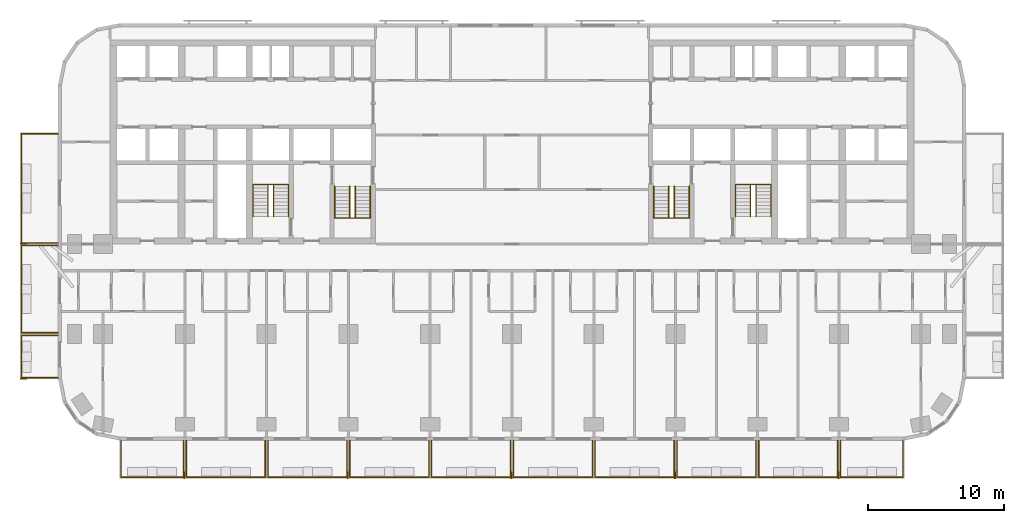
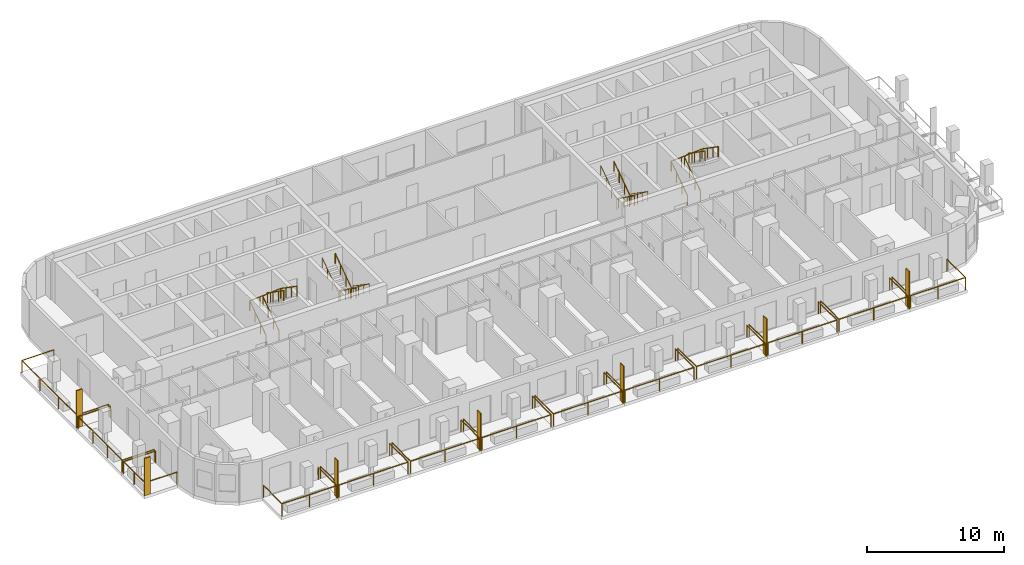
# One storey, part 13 of 15: 21 railings, 7 shading devices.
"""IFC4 building model written with IfcOpenShell, lengths in metres."""

from ifc_helpers import new_model, si_unit, direction, frame, origin, origin_2d, place, context, subcontext, project, spatial, rectangle, circle, extrude, material, layer, layer_set, type_object, element, save


model = new_model("IFC4")

# Units and contexts
model_context = context("Model", 3, precision=1e-05, world=origin(), true_north=direction((0.0, 1.0)))
body_context = subcontext(model_context, "Body", "Model", "MODEL_VIEW")
ifc_project = project(units=[si_unit("LENGTHUNIT", "METRE"), si_unit("AREAUNIT", "SQUARE_METRE"), si_unit("VOLUMEUNIT", "CUBIC_METRE"), si_unit("PLANEANGLEUNIT", "RADIAN"), si_unit("MASSUNIT", "GRAM", prefix="KILO")], contexts=[model_context])

# Site, building, storey
site_placement = place(None, origin())
site = spatial("IfcSite", under=ifc_project, at=site_placement, CompositionType="ELEMENT")
building_placement = place(site_placement, origin())
building = spatial("IfcBuilding", under=site, at=building_placement, Name="Torana Hotel and Residences", CompositionType="ELEMENT")
storey_placement = place(building_placement, frame((0.0, 0.0, 24.0)))
storey = spatial("IfcBuildingStorey", under=building, at=storey_placement, Name="L04", CompositionType="ELEMENT", Elevation=24.0)

# Shading devices
ifc_material_1 = material(Name="Black powder coated aluminium", Category="aluminium")
ifc_layer = layer(ifc_material_1, 0.080078125)
ifc_layer_set = layer_set([ifc_layer], Name="FN1 VERTICAL FIN 500x80")
shading_device_type = type_object("IfcShadingDeviceType", Name="FN1 VERTICAL FIN 500x80", PredefinedType="USERDEFINED", material=ifc_layer_set)
for number, where, z_axis, x_axis, name in (
    (1, (-24.0400390625, -31.949951171875, 0.0), (0.0, 0.0, 1.0), (-1.0, 0.0, 0.0), "Fin 01"),
    (2, (-12.0400390625, -31.949951171875, 0.0), (0.0, 0.0, 1.0), (-1.0, 0.0, 0.0), "Fin 03"),
    (3, (-0.0400390625, -31.949951171875, 0.0), (0.0, 0.0, 1.0), (-1.0, 0.0, 0.0), "Fin 05"),
    (4, (11.9599609375, -31.949951171875, 0.0), (0.0, 0.0, 1.0), (-1.0, 0.0, 0.0), "Fin 07"),
    (5, (23.9599609375, -31.949951171875, 0.0), (0.0, 0.0, 1.0), (-1.0, 0.0, 0.0), "Fin 09"),
    (6, (-35.85009765625, -24.860107421875, 0.0), (0.0, 0.0, 1.0), (0.0, 1.0, 0.0), "Fin 11"),
    (7, (-35.85009765625, -14.9599609375, 0.0), (0.0, 0.0, 1.0), (0.0, 1.0, 0.0), "Fin 13"),
):
    element("IfcShadingDevice", number, at=place(storey_placement, frame(where, z_axis=z_axis, x_axis=x_axis)), inside=storey, type_object=shading_device_type, Name=name, ObjectType="FIN", PredefinedType="USERDEFINED", context=body_context, shape_type="SweptSolid", body=[
        extrude(rectangle(XDim=0.080078125, YDim=0.5, at=origin_2d()), origin(), (0.0, 0.0, 1.0), 3.320068359375),
    ])

# Railings
ifc_material_2 = material(Name="Laminated glass balustrade with black handrail", Category="glass")
railing_type_1 = type_object("IfcRailingType", Name="GR1 BALCONY GUARD 1100 GLASS", PredefinedType="GUARDRAIL", material=ifc_material_2)
railing_1_placement = place(storey_placement, frame((-24.10009765625, -29.39990234375, 0.0)))
element("IfcRailing", 8, at=railing_1_placement, inside=storey, type_object=railing_type_1, Name="Balcony guard 01", PredefinedType="GUARDRAIL", context=body_context, shape_type="SweptSolid", body=[
    extrude(circle(Radius=0.02392578125, at=origin_2d()), frame((0.0, 0.0, 1.076171875), z_axis=(0.0, -1.0, 0.0), x_axis=(1.0, 0.0, 0.0)), (0.0, 0.0, 1.0), 2.7001953125),
    extrude(circle(Radius=0.02392578125, at=origin_2d()), frame((0.0, -2.7001953125, 1.076171875), z_axis=(-1.0, 0.0, 0.0), x_axis=(0.0, -1.0, 0.0)), (0.0, 0.0, 1.0), 4.599853515625),
    extrude(circle(Radius=0.02392578125, at=origin_2d()), frame((-4.599853515625, -2.7001953125, 1.076171875), z_axis=(0.0, 1.0, 0.0), x_axis=(-1.0, 0.0, 0.0)), (0.0, 0.0, 1.0), 2.7001953125),
    extrude(circle(Radius=0.02099609375, at=origin_2d()), origin(), (0.0, 0.0, 1.0), 1.052001953125),
    extrude(circle(Radius=0.02099609375, at=origin_2d()), frame((0.0, -2.7001953125, 0.0)), (0.0, 0.0, 1.0), 1.052001953125),
    extrude(circle(Radius=0.02099609375, at=origin_2d()), frame((-2.2998046875, -2.7001953125, 0.0)), (0.0, 0.0, 1.0), 1.052001953125),
    extrude(circle(Radius=0.02099609375, at=origin_2d()), frame((-4.599853515625, -2.7001953125, 0.0)), (0.0, 0.0, 1.0), 1.052001953125),
    extrude(circle(Radius=0.02099609375, at=origin_2d()), frame((-4.599853515625, 0.0, 0.0)), (0.0, 0.0, 1.0), 1.052001953125),
])
for number, where, name in (
    (9, (-18.10009765625, -29.39990234375, 0.0), "Balcony guard 02"),
    (10, (-12.10009765625, -29.39990234375, 0.0), "Balcony guard 03"),
    (11, (-6.10009765625, -29.39990234375, 0.0), "Balcony guard 04"),
    (12, (-0.10009765625, -29.39990234375, 0.0), "Balcony guard 05"),
    (13, (5.89990234375, -29.39990234375, 0.0), "Balcony guard 06"),
    (14, (11.89990234375, -29.39990234375, 0.0), "Balcony guard 07"),
    (15, (17.89990234375, -29.39990234375, 0.0), "Balcony guard 08"),
    (16, (23.89990234375, -29.39990234375, 0.0), "Balcony guard 09"),
):
    element("IfcRailing", number, at=place(storey_placement, frame(where)), inside=storey, type_object=railing_type_1, Name=name, PredefinedType="GUARDRAIL", context=body_context, shape_type="SweptSolid", body=[
        extrude(circle(Radius=0.02392578125, at=origin_2d()), frame((0.0, 0.0, 1.076171875), z_axis=(0.0, -1.0, 0.0), x_axis=(1.0, 0.0, 0.0)), (0.0, 0.0, 1.0), 2.7001953125),
        extrude(circle(Radius=0.02392578125, at=origin_2d()), frame((0.0, -2.7001953125, 1.076171875), z_axis=(-1.0, 0.0, 0.0), x_axis=(0.0, -1.0, 0.0)), (0.0, 0.0, 1.0), 5.7998046875),
        extrude(circle(Radius=0.02392578125, at=origin_2d()), frame((-5.7998046875, -2.7001953125, 1.076171875), z_axis=(0.0, 1.0, 0.0), x_axis=(-1.0, 0.0, 0.0)), (0.0, 0.0, 1.0), 2.7001953125),
        extrude(circle(Radius=0.02099609375, at=origin_2d()), origin(), (0.0, 0.0, 1.0), 1.052001953125),
        extrude(circle(Radius=0.02099609375, at=origin_2d()), frame((0.0, -2.7001953125, 0.0)), (0.0, 0.0, 1.0), 1.052001953125),
        extrude(circle(Radius=0.02099609375, at=origin_2d()), frame((-2.89990234375, -2.7001953125, 0.0)), (0.0, 0.0, 1.0), 1.052001953125),
        extrude(circle(Radius=0.02099609375, at=origin_2d()), frame((-5.7998046875, -2.7001953125, 0.0)), (0.0, 0.0, 1.0), 1.052001953125),
        extrude(circle(Radius=0.02099609375, at=origin_2d()), frame((-5.7998046875, 0.0, 0.0)), (0.0, 0.0, 1.0), 1.052001953125),
    ])
railing_2_placement = place(storey_placement, frame((28.699951171875, -29.39990234375, 0.0)))
element("IfcRailing", 17, at=railing_2_placement, inside=storey, type_object=railing_type_1, Name="Balcony guard 10", PredefinedType="GUARDRAIL", context=body_context, shape_type="SweptSolid", body=[
    extrude(circle(Radius=0.02392578125, at=origin_2d()), frame((0.0, 0.0, 1.076171875), z_axis=(0.0, -1.0, 0.0), x_axis=(1.0, 0.0, 0.0)), (0.0, 0.0, 1.0), 2.7001953125),
    extrude(circle(Radius=0.02392578125, at=origin_2d()), frame((0.0, -2.7001953125, 1.076171875), z_axis=(-1.0, 0.0, 0.0), x_axis=(0.0, -1.0, 0.0)), (0.0, 0.0, 1.0), 4.599853515625),
    extrude(circle(Radius=0.02392578125, at=origin_2d()), frame((-4.599853515625, -2.7001953125, 1.076171875), z_axis=(0.0, 1.0, 0.0), x_axis=(-1.0, 0.0, 0.0)), (0.0, 0.0, 1.0), 2.7001953125),
    extrude(circle(Radius=0.02099609375, at=origin_2d()), origin(), (0.0, 0.0, 1.0), 1.052001953125),
    extrude(circle(Radius=0.02099609375, at=origin_2d()), frame((0.0, -2.7001953125, 0.0)), (0.0, 0.0, 1.0), 1.052001953125),
    extrude(circle(Radius=0.02099609375, at=origin_2d()), frame((-2.2998046875, -2.7001953125, 0.0)), (0.0, 0.0, 1.0), 1.052001953125),
    extrude(circle(Radius=0.02099609375, at=origin_2d()), frame((-4.599853515625, -2.7001953125, 0.0)), (0.0, 0.0, 1.0), 1.052001953125),
    extrude(circle(Radius=0.02099609375, at=origin_2d()), frame((-4.599853515625, 0.0, 0.0)), (0.0, 0.0, 1.0), 1.052001953125),
])
railing_3_placement = place(storey_placement, frame((-33.300048828125, -24.800048828125, 0.0)))
element("IfcRailing", 18, at=railing_3_placement, inside=storey, type_object=railing_type_1, Name="Balcony guard 11", PredefinedType="GUARDRAIL", context=body_context, shape_type="SweptSolid", body=[
    extrude(circle(Radius=0.02392578125, at=origin_2d()), frame((0.0, 0.0, 1.076171875), z_axis=(-1.0, 0.0, 0.0), x_axis=(0.0, -1.0, 0.0)), (0.0, 0.0, 1.0), 2.699951171875),
    extrude(circle(Radius=0.02392578125, at=origin_2d()), frame((-2.699951171875, 0.0, 1.076171875), z_axis=(0.0, 1.0, 0.0), x_axis=(-1.0, 0.0, 0.0)), (0.0, 0.0, 1.0), 3.10009765625),
    extrude(circle(Radius=0.02392578125, at=origin_2d()), frame((-2.699951171875, 3.10009765625, 1.076171875), z_axis=(1.0, 0.0, 0.0), x_axis=(0.0, 1.0, 0.0)), (0.0, 0.0, 1.0), 2.699951171875),
    extrude(circle(Radius=0.02099609375, at=origin_2d()), origin(), (0.0, 0.0, 1.0), 1.052001953125),
    extrude(circle(Radius=0.02099609375, at=origin_2d()), frame((-2.699951171875, 0.0, 0.0)), (0.0, 0.0, 1.0), 1.052001953125),
    extrude(circle(Radius=0.02099609375, at=origin_2d()), frame((-2.699951171875, 1.550048828125, 0.0)), (0.0, 0.0, 1.0), 1.052001953125),
    extrude(circle(Radius=0.02099609375, at=origin_2d()), frame((-2.699951171875, 3.10009765625, 0.0)), (0.0, 0.0, 1.0), 1.052001953125),
    extrude(circle(Radius=0.02099609375, at=origin_2d()), frame((0.0, 3.10009765625, 0.0)), (0.0, 0.0, 1.0), 1.052001953125),
])
railing_4_placement = place(storey_placement, frame((-33.300048828125, -21.5, 0.0)))
element("IfcRailing", 19, at=railing_4_placement, inside=storey, type_object=railing_type_1, Name="Balcony guard 12", PredefinedType="GUARDRAIL", context=body_context, shape_type="SweptSolid", body=[
    extrude(circle(Radius=0.02392578125, at=origin_2d()), frame((0.0, 0.0, 1.076171875), z_axis=(-1.0, 0.0, 0.0), x_axis=(0.0, -1.0, 0.0)), (0.0, 0.0, 1.0), 2.699951171875),
    extrude(circle(Radius=0.02392578125, at=origin_2d()), frame((-2.699951171875, 0.0, 1.076171875), z_axis=(0.0, 1.0, 0.0), x_axis=(-1.0, 0.0, 0.0)), (0.0, 0.0, 1.0), 6.39990234375),
    extrude(circle(Radius=0.02392578125, at=origin_2d()), frame((-2.699951171875, 6.39990234375, 1.076171875), z_axis=(1.0, 0.0, 0.0), x_axis=(0.0, 1.0, 0.0)), (0.0, 0.0, 1.0), 2.699951171875),
    extrude(circle(Radius=0.02099609375, at=origin_2d()), origin(), (0.0, 0.0, 1.0), 1.052001953125),
    extrude(circle(Radius=0.02099609375, at=origin_2d()), frame((-2.699951171875, 0.0, 0.0)), (0.0, 0.0, 1.0), 1.052001953125),
    extrude(circle(Radius=0.02099609375, at=origin_2d()), frame((-2.699951171875, 2.13330078125, 0.0)), (0.0, 0.0, 1.0), 1.052001953125),
    extrude(circle(Radius=0.02099609375, at=origin_2d()), frame((-2.699951171875, 4.2666015625, 0.0)), (0.0, 0.0, 1.0), 1.052001953125),
    extrude(circle(Radius=0.02099609375, at=origin_2d()), frame((-2.699951171875, 6.39990234375, 0.0)), (0.0, 0.0, 1.0), 1.052001953125),
    extrude(circle(Radius=0.02099609375, at=origin_2d()), frame((0.0, 6.39990234375, 0.0)), (0.0, 0.0, 1.0), 1.052001953125),
])
railing_5_placement = place(storey_placement, frame((-33.300048828125, -14.89990234375, 0.0)))
element("IfcRailing", 20, at=railing_5_placement, inside=storey, type_object=railing_type_1, Name="Balcony guard 13", PredefinedType="GUARDRAIL", context=body_context, shape_type="SweptSolid", body=[
    extrude(circle(Radius=0.02392578125, at=origin_2d()), frame((0.0, 0.0, 1.076171875), z_axis=(-1.0, 0.0, 0.0), x_axis=(0.0, -1.0, 0.0)), (0.0, 0.0, 1.0), 2.699951171875),
    extrude(circle(Radius=0.02392578125, at=origin_2d()), frame((-2.699951171875, 0.0, 1.076171875), z_axis=(0.0, 1.0, 0.0), x_axis=(-1.0, 0.0, 0.0)), (0.0, 0.0, 1.0), 8.0),
    extrude(circle(Radius=0.02392578125, at=origin_2d()), frame((-2.699951171875, 8.0, 1.076171875), z_axis=(1.0, 0.0, 0.0), x_axis=(0.0, 1.0, 0.0)), (0.0, 0.0, 1.0), 2.699951171875),
    extrude(circle(Radius=0.02099609375, at=origin_2d()), origin(), (0.0, 0.0, 1.0), 1.052001953125),
    extrude(circle(Radius=0.02099609375, at=origin_2d()), frame((-2.699951171875, 0.0, 0.0)), (0.0, 0.0, 1.0), 1.052001953125),
    extrude(circle(Radius=0.02099609375, at=origin_2d()), frame((-2.699951171875, 2.666748046875, 0.0)), (0.0, 0.0, 1.0), 1.052001953125),
    extrude(circle(Radius=0.02099609375, at=origin_2d()), frame((-2.699951171875, 5.333251953125, 0.0)), (0.0, 0.0, 1.0), 1.052001953125),
    extrude(circle(Radius=0.02099609375, at=origin_2d()), frame((-2.699951171875, 8.0, 0.0)), (0.0, 0.0, 1.0), 1.052001953125),
    extrude(circle(Radius=0.02099609375, at=origin_2d()), frame((0.0, 8.0, 0.0)), (0.0, 0.0, 1.0), 1.052001953125),
])
ifc_material_3 = material(Name="Stainless steel 316", Category="steel")
railing_type_2 = type_object("IfcRailingType", Name="STAIR HANDRAIL HR1 900", PredefinedType="HANDRAIL", material=ifc_material_3)
railing_6_placement = place(storey_placement, frame((-10.39990234375, -10.75, 0.179931640625)))
element("IfcRailing", 21, at=railing_6_placement, inside=storey, type_object=railing_type_2, Name="Handrail ST1 L04 O1", PredefinedType="HANDRAIL", context=body_context, shape_type="SweptSolid", body=[
    extrude(circle(Radius=0.02392578125, at=origin_2d()), frame((0.0, 0.0, 0.8759765625), z_axis=(0.0, -0.822182927502, 0.569223360136), x_axis=(1.0, 0.0, 0.0)), (0.0, 0.0, 1.0), 2.84619140625),
    extrude(circle(Radius=0.02392578125, at=origin_2d()), frame((0.0, -2.340087890625, 2.49609375), z_axis=(-0.997614115953, 0.0, 0.069036770278), x_axis=(0.0, -1.0, 0.0)), (0.0, 0.0, 1.0), 2.606201171875),
    extrude(circle(Radius=0.02392578125, at=origin_2d()), frame((-2.60009765625, -2.340087890625, 2.67578125), z_axis=(0.0, 0.822182927502, 0.569223360136), x_axis=(-1.0, 0.0, 0.0)), (0.0, 0.0, 1.0), 2.84619140625),
    extrude(circle(Radius=0.02099609375, at=origin_2d()), origin(), (0.0, 0.0, 1.0), 0.851806640625),
    extrude(circle(Radius=0.02099609375, at=origin_2d()), frame((0.0, -0.780029296875, 0.5400390625)), (0.0, 0.0, 1.0), 0.851806640625),
    extrude(circle(Radius=0.02099609375, at=origin_2d()), frame((0.0, -1.56005859375, 1.080078125)), (0.0, 0.0, 1.0), 0.851806640625),
    extrude(circle(Radius=0.02099609375, at=origin_2d()), frame((0.0, -2.340087890625, 1.6201171875)), (0.0, 0.0, 1.0), 0.851806640625),
    extrude(circle(Radius=0.02099609375, at=origin_2d()), frame((-0.86669921875, -2.340087890625, 1.68017578125)), (0.0, 0.0, 1.0), 0.851806640625),
    extrude(circle(Radius=0.02099609375, at=origin_2d()), frame((-1.7333984375, -2.340087890625, 1.739990234375)), (0.0, 0.0, 1.0), 0.851806640625),
    extrude(circle(Radius=0.02099609375, at=origin_2d()), frame((-2.60009765625, -2.340087890625, 1.800048828125)), (0.0, 0.0, 1.0), 0.851806640625),
    extrude(circle(Radius=0.02099609375, at=origin_2d()), frame((-2.60009765625, -1.56005859375, 2.340087890625)), (0.0, 0.0, 1.0), 0.851806640625),
    extrude(circle(Radius=0.02099609375, at=origin_2d()), frame((-2.60009765625, -0.780029296875, 2.880126953125)), (0.0, 0.0, 1.0), 0.851806640625),
    extrude(circle(Radius=0.02099609375, at=origin_2d()), frame((-2.60009765625, 0.0, 3.420166015625)), (0.0, 0.0, 1.0), 0.851806640625),
])
railing_7_placement = place(storey_placement, frame((-11.5, -10.75, 0.179931640625)))
element("IfcRailing", 22, at=railing_7_placement, inside=storey, type_object=railing_type_2, Name="Handrail ST1 L04 I1", PredefinedType="HANDRAIL", context=body_context, shape_type="SweptSolid", body=[
    extrude(circle(Radius=0.02392578125, at=origin_2d()), frame((0.0, 0.0, 0.8759765625), z_axis=(0.0, -0.822182927502, 0.569223360136), x_axis=(1.0, 0.0, 0.0)), (0.0, 0.0, 1.0), 2.84619140625),
    extrude(circle(Radius=0.02392578125, at=origin_2d()), frame((0.0, -2.340087890625, 2.49609375), z_axis=(-0.911942338396, 0.0, 0.410318378143), x_axis=(0.0, -1.0, 0.0)), (0.0, 0.0, 1.0), 0.4384765625),
    extrude(circle(Radius=0.02392578125, at=origin_2d()), frame((-0.39990234375, -2.340087890625, 2.67578125), z_axis=(0.0, 0.822182927502, 0.569223360136), x_axis=(-1.0, 0.0, 0.0)), (0.0, 0.0, 1.0), 2.84619140625),
    extrude(circle(Radius=0.02099609375, at=origin_2d()), origin(), (0.0, 0.0, 1.0), 0.851806640625),
    extrude(circle(Radius=0.02099609375, at=origin_2d()), frame((0.0, -0.780029296875, 0.5400390625)), (0.0, 0.0, 1.0), 0.851806640625),
    extrude(circle(Radius=0.02099609375, at=origin_2d()), frame((0.0, -1.56005859375, 1.080078125)), (0.0, 0.0, 1.0), 0.851806640625),
    extrude(circle(Radius=0.02099609375, at=origin_2d()), frame((0.0, -2.340087890625, 1.6201171875)), (0.0, 0.0, 1.0), 0.851806640625),
    extrude(circle(Radius=0.02099609375, at=origin_2d()), frame((-0.39990234375, -2.340087890625, 1.800048828125)), (0.0, 0.0, 1.0), 0.851806640625),
    extrude(circle(Radius=0.02099609375, at=origin_2d()), frame((-0.39990234375, -1.56005859375, 2.340087890625)), (0.0, 0.0, 1.0), 0.851806640625),
    extrude(circle(Radius=0.02099609375, at=origin_2d()), frame((-0.39990234375, -0.780029296875, 2.880126953125)), (0.0, 0.0, 1.0), 0.851806640625),
    extrude(circle(Radius=0.02099609375, at=origin_2d()), frame((-0.39990234375, 0.0, 3.420166015625)), (0.0, 0.0, 1.0), 0.851806640625),
])
railing_8_placement = place(storey_placement, frame((-19.0, -12.949951171875, 0.179931640625)))
element("IfcRailing", 23, at=railing_8_placement, inside=storey, type_object=railing_type_2, Name="Handrail ST2 L04 O1", PredefinedType="HANDRAIL", context=body_context, shape_type="SweptSolid", body=[
    extrude(circle(Radius=0.02392578125, at=origin_2d()), frame((0.0, 0.0, 0.8759765625), z_axis=(0.0, 0.822155131156, 0.569263506923), x_axis=(-1.0, 0.0, 0.0)), (0.0, 0.0, 1.0), 2.845947265625),
    extrude(circle(Radius=0.02392578125, at=origin_2d()), frame((0.0, 2.33984375, 2.49609375), z_axis=(0.997614115953, 0.0, 0.069036770278), x_axis=(0.0, 1.0, 0.0)), (0.0, 0.0, 1.0), 2.606201171875),
    extrude(circle(Radius=0.02392578125, at=origin_2d()), frame((2.60009765625, 2.33984375, 2.67578125), z_axis=(0.0, -0.822155131156, 0.569263506923), x_axis=(1.0, 0.0, 0.0)), (0.0, 0.0, 1.0), 2.845947265625),
    extrude(circle(Radius=0.02099609375, at=origin_2d()), origin(), (0.0, 0.0, 1.0), 0.851806640625),
    extrude(circle(Radius=0.02099609375, at=origin_2d()), frame((0.0, 0.780029296875, 0.5400390625)), (0.0, 0.0, 1.0), 0.851806640625),
    extrude(circle(Radius=0.02099609375, at=origin_2d()), frame((0.0, 1.559814453125, 1.080078125)), (0.0, 0.0, 1.0), 0.851806640625),
    extrude(circle(Radius=0.02099609375, at=origin_2d()), frame((0.0, 2.33984375, 1.6201171875)), (0.0, 0.0, 1.0), 0.851806640625),
    extrude(circle(Radius=0.02099609375, at=origin_2d()), frame((0.86669921875, 2.33984375, 1.68017578125)), (0.0, 0.0, 1.0), 0.851806640625),
    extrude(circle(Radius=0.02099609375, at=origin_2d()), frame((1.7333984375, 2.33984375, 1.739990234375)), (0.0, 0.0, 1.0), 0.851806640625),
    extrude(circle(Radius=0.02099609375, at=origin_2d()), frame((2.60009765625, 2.33984375, 1.800048828125)), (0.0, 0.0, 1.0), 0.851806640625),
    extrude(circle(Radius=0.02099609375, at=origin_2d()), frame((2.60009765625, 1.559814453125, 2.340087890625)), (0.0, 0.0, 1.0), 0.851806640625),
    extrude(circle(Radius=0.02099609375, at=origin_2d()), frame((2.60009765625, 0.780029296875, 2.880126953125)), (0.0, 0.0, 1.0), 0.851806640625),
    extrude(circle(Radius=0.02099609375, at=origin_2d()), frame((2.60009765625, 0.0, 3.420166015625)), (0.0, 0.0, 1.0), 0.851806640625),
])
railing_9_placement = place(storey_placement, frame((-17.89990234375, -12.949951171875, 0.179931640625)))
element("IfcRailing", 24, at=railing_9_placement, inside=storey, type_object=railing_type_2, Name="Handrail ST2 L04 I1", PredefinedType="HANDRAIL", context=body_context, shape_type="SweptSolid", body=[
    extrude(circle(Radius=0.02392578125, at=origin_2d()), frame((0.0, 0.0, 0.8759765625), z_axis=(0.0, 0.822155131156, 0.569263506923), x_axis=(-1.0, 0.0, 0.0)), (0.0, 0.0, 1.0), 2.845947265625),
    extrude(circle(Radius=0.02392578125, at=origin_2d()), frame((0.0, 2.33984375, 2.49609375), z_axis=(0.911942338396, 0.0, 0.410318378143), x_axis=(0.0, 1.0, 0.0)), (0.0, 0.0, 1.0), 0.4384765625),
    extrude(circle(Radius=0.02392578125, at=origin_2d()), frame((0.39990234375, 2.33984375, 2.67578125), z_axis=(0.0, -0.822155131156, 0.569263506923), x_axis=(1.0, 0.0, 0.0)), (0.0, 0.0, 1.0), 2.845947265625),
    extrude(circle(Radius=0.02099609375, at=origin_2d()), origin(), (0.0, 0.0, 1.0), 0.851806640625),
    extrude(circle(Radius=0.02099609375, at=origin_2d()), frame((0.0, 0.780029296875, 0.5400390625)), (0.0, 0.0, 1.0), 0.851806640625),
    extrude(circle(Radius=0.02099609375, at=origin_2d()), frame((0.0, 1.559814453125, 1.080078125)), (0.0, 0.0, 1.0), 0.851806640625),
    extrude(circle(Radius=0.02099609375, at=origin_2d()), frame((0.0, 2.33984375, 1.6201171875)), (0.0, 0.0, 1.0), 0.851806640625),
    extrude(circle(Radius=0.02099609375, at=origin_2d()), frame((0.39990234375, 2.33984375, 1.800048828125)), (0.0, 0.0, 1.0), 0.851806640625),
    extrude(circle(Radius=0.02099609375, at=origin_2d()), frame((0.39990234375, 1.559814453125, 2.340087890625)), (0.0, 0.0, 1.0), 0.851806640625),
    extrude(circle(Radius=0.02099609375, at=origin_2d()), frame((0.39990234375, 0.780029296875, 2.880126953125)), (0.0, 0.0, 1.0), 0.851806640625),
    extrude(circle(Radius=0.02099609375, at=origin_2d()), frame((0.39990234375, 0.0, 3.420166015625)), (0.0, 0.0, 1.0), 0.851806640625),
])
railing_10_placement = place(storey_placement, frame((13.0, -10.75, 0.179931640625)))
element("IfcRailing", 25, at=railing_10_placement, inside=storey, type_object=railing_type_2, Name="Handrail ST3 L04 O1", PredefinedType="HANDRAIL", context=body_context, shape_type="SweptSolid", body=[
    extrude(circle(Radius=0.02392578125, at=origin_2d()), frame((0.0, 0.0, 0.8759765625), z_axis=(0.0, -0.822182927502, 0.569223360136), x_axis=(1.0, 0.0, 0.0)), (0.0, 0.0, 1.0), 2.84619140625),
    extrude(circle(Radius=0.02392578125, at=origin_2d()), frame((0.0, -2.340087890625, 2.49609375), z_axis=(-0.997614115953, 0.0, 0.069036770278), x_axis=(0.0, -1.0, 0.0)), (0.0, 0.0, 1.0), 2.606201171875),
    extrude(circle(Radius=0.02392578125, at=origin_2d()), frame((-2.60009765625, -2.340087890625, 2.67578125), z_axis=(0.0, 0.822182927502, 0.569223360136), x_axis=(-1.0, 0.0, 0.0)), (0.0, 0.0, 1.0), 2.84619140625),
    extrude(circle(Radius=0.02099609375, at=origin_2d()), origin(), (0.0, 0.0, 1.0), 0.851806640625),
    extrude(circle(Radius=0.02099609375, at=origin_2d()), frame((0.0, -0.780029296875, 0.5400390625)), (0.0, 0.0, 1.0), 0.851806640625),
    extrude(circle(Radius=0.02099609375, at=origin_2d()), frame((0.0, -1.56005859375, 1.080078125)), (0.0, 0.0, 1.0), 0.851806640625),
    extrude(circle(Radius=0.02099609375, at=origin_2d()), frame((0.0, -2.340087890625, 1.6201171875)), (0.0, 0.0, 1.0), 0.851806640625),
    extrude(circle(Radius=0.02099609375, at=origin_2d()), frame((-0.86669921875, -2.340087890625, 1.68017578125)), (0.0, 0.0, 1.0), 0.851806640625),
    extrude(circle(Radius=0.02099609375, at=origin_2d()), frame((-1.7333984375, -2.340087890625, 1.739990234375)), (0.0, 0.0, 1.0), 0.851806640625),
    extrude(circle(Radius=0.02099609375, at=origin_2d()), frame((-2.60009765625, -2.340087890625, 1.800048828125)), (0.0, 0.0, 1.0), 0.851806640625),
    extrude(circle(Radius=0.02099609375, at=origin_2d()), frame((-2.60009765625, -1.56005859375, 2.340087890625)), (0.0, 0.0, 1.0), 0.851806640625),
    extrude(circle(Radius=0.02099609375, at=origin_2d()), frame((-2.60009765625, -0.780029296875, 2.880126953125)), (0.0, 0.0, 1.0), 0.851806640625),
    extrude(circle(Radius=0.02099609375, at=origin_2d()), frame((-2.60009765625, 0.0, 3.420166015625)), (0.0, 0.0, 1.0), 0.851806640625),
])
railing_11_placement = place(storey_placement, frame((11.89990234375, -10.75, 0.179931640625)))
element("IfcRailing", 26, at=railing_11_placement, inside=storey, type_object=railing_type_2, Name="Handrail ST3 L04 I1", PredefinedType="HANDRAIL", context=body_context, shape_type="SweptSolid", body=[
    extrude(circle(Radius=0.02392578125, at=origin_2d()), frame((0.0, 0.0, 0.8759765625), z_axis=(0.0, -0.822182927502, 0.569223360136), x_axis=(1.0, 0.0, 0.0)), (0.0, 0.0, 1.0), 2.84619140625),
    extrude(circle(Radius=0.02392578125, at=origin_2d()), frame((0.0, -2.340087890625, 2.49609375), z_axis=(-0.911942338396, 0.0, 0.410318378143), x_axis=(0.0, -1.0, 0.0)), (0.0, 0.0, 1.0), 0.4384765625),
    extrude(circle(Radius=0.02392578125, at=origin_2d()), frame((-0.39990234375, -2.340087890625, 2.67578125), z_axis=(0.0, 0.822182927502, 0.569223360136), x_axis=(-1.0, 0.0, 0.0)), (0.0, 0.0, 1.0), 2.84619140625),
    extrude(circle(Radius=0.02099609375, at=origin_2d()), origin(), (0.0, 0.0, 1.0), 0.851806640625),
    extrude(circle(Radius=0.02099609375, at=origin_2d()), frame((0.0, -0.780029296875, 0.5400390625)), (0.0, 0.0, 1.0), 0.851806640625),
    extrude(circle(Radius=0.02099609375, at=origin_2d()), frame((0.0, -1.56005859375, 1.080078125)), (0.0, 0.0, 1.0), 0.851806640625),
    extrude(circle(Radius=0.02099609375, at=origin_2d()), frame((0.0, -2.340087890625, 1.6201171875)), (0.0, 0.0, 1.0), 0.851806640625),
    extrude(circle(Radius=0.02099609375, at=origin_2d()), frame((-0.39990234375, -2.340087890625, 1.800048828125)), (0.0, 0.0, 1.0), 0.851806640625),
    extrude(circle(Radius=0.02099609375, at=origin_2d()), frame((-0.39990234375, -1.56005859375, 2.340087890625)), (0.0, 0.0, 1.0), 0.851806640625),
    extrude(circle(Radius=0.02099609375, at=origin_2d()), frame((-0.39990234375, -0.780029296875, 2.880126953125)), (0.0, 0.0, 1.0), 0.851806640625),
    extrude(circle(Radius=0.02099609375, at=origin_2d()), frame((-0.39990234375, 0.0, 3.420166015625)), (0.0, 0.0, 1.0), 0.851806640625),
])
railing_12_placement = place(storey_placement, frame((16.39990234375, -12.949951171875, 0.179931640625)))
element("IfcRailing", 27, at=railing_12_placement, inside=storey, type_object=railing_type_2, Name="Handrail ST4 L04 O1", PredefinedType="HANDRAIL", context=body_context, shape_type="SweptSolid", body=[
    extrude(circle(Radius=0.02392578125, at=origin_2d()), frame((0.0, 0.0, 0.8759765625), z_axis=(0.0, 0.822155131156, 0.569263506923), x_axis=(-1.0, 0.0, 0.0)), (0.0, 0.0, 1.0), 2.845947265625),
    extrude(circle(Radius=0.02392578125, at=origin_2d()), frame((0.0, 2.33984375, 2.49609375), z_axis=(0.997614115953, 0.0, 0.069036770278), x_axis=(0.0, 1.0, 0.0)), (0.0, 0.0, 1.0), 2.606201171875),
    extrude(circle(Radius=0.02392578125, at=origin_2d()), frame((2.60009765625, 2.33984375, 2.67578125), z_axis=(0.0, -0.822155131156, 0.569263506923), x_axis=(1.0, 0.0, 0.0)), (0.0, 0.0, 1.0), 2.845947265625),
    extrude(circle(Radius=0.02099609375, at=origin_2d()), origin(), (0.0, 0.0, 1.0), 0.851806640625),
    extrude(circle(Radius=0.02099609375, at=origin_2d()), frame((0.0, 0.780029296875, 0.5400390625)), (0.0, 0.0, 1.0), 0.851806640625),
    extrude(circle(Radius=0.02099609375, at=origin_2d()), frame((0.0, 1.559814453125, 1.080078125)), (0.0, 0.0, 1.0), 0.851806640625),
    extrude(circle(Radius=0.02099609375, at=origin_2d()), frame((0.0, 2.33984375, 1.6201171875)), (0.0, 0.0, 1.0), 0.851806640625),
    extrude(circle(Radius=0.02099609375, at=origin_2d()), frame((0.86669921875, 2.33984375, 1.68017578125)), (0.0, 0.0, 1.0), 0.851806640625),
    extrude(circle(Radius=0.02099609375, at=origin_2d()), frame((1.7333984375, 2.33984375, 1.739990234375)), (0.0, 0.0, 1.0), 0.851806640625),
    extrude(circle(Radius=0.02099609375, at=origin_2d()), frame((2.60009765625, 2.33984375, 1.800048828125)), (0.0, 0.0, 1.0), 0.851806640625),
    extrude(circle(Radius=0.02099609375, at=origin_2d()), frame((2.60009765625, 1.559814453125, 2.340087890625)), (0.0, 0.0, 1.0), 0.851806640625),
    extrude(circle(Radius=0.02099609375, at=origin_2d()), frame((2.60009765625, 0.780029296875, 2.880126953125)), (0.0, 0.0, 1.0), 0.851806640625),
    extrude(circle(Radius=0.02099609375, at=origin_2d()), frame((2.60009765625, 0.0, 3.420166015625)), (0.0, 0.0, 1.0), 0.851806640625),
])
railing_13_placement = place(storey_placement, frame((17.5, -12.949951171875, 0.179931640625)))
element("IfcRailing", 28, at=railing_13_placement, inside=storey, type_object=railing_type_2, Name="Handrail ST4 L04 I1", PredefinedType="HANDRAIL", context=body_context, shape_type="SweptSolid", body=[
    extrude(circle(Radius=0.02392578125, at=origin_2d()), frame((0.0, 0.0, 0.8759765625), z_axis=(0.0, 0.822155131156, 0.569263506923), x_axis=(-1.0, 0.0, 0.0)), (0.0, 0.0, 1.0), 2.845947265625),
    extrude(circle(Radius=0.02392578125, at=origin_2d()), frame((0.0, 2.33984375, 2.49609375), z_axis=(0.911942338396, 0.0, 0.410318378143), x_axis=(0.0, 1.0, 0.0)), (0.0, 0.0, 1.0), 0.4384765625),
    extrude(circle(Radius=0.02392578125, at=origin_2d()), frame((0.39990234375, 2.33984375, 2.67578125), z_axis=(0.0, -0.822155131156, 0.569263506923), x_axis=(1.0, 0.0, 0.0)), (0.0, 0.0, 1.0), 2.845947265625),
    extrude(circle(Radius=0.02099609375, at=origin_2d()), origin(), (0.0, 0.0, 1.0), 0.851806640625),
    extrude(circle(Radius=0.02099609375, at=origin_2d()), frame((0.0, 0.780029296875, 0.5400390625)), (0.0, 0.0, 1.0), 0.851806640625),
    extrude(circle(Radius=0.02099609375, at=origin_2d()), frame((0.0, 1.559814453125, 1.080078125)), (0.0, 0.0, 1.0), 0.851806640625),
    extrude(circle(Radius=0.02099609375, at=origin_2d()), frame((0.0, 2.33984375, 1.6201171875)), (0.0, 0.0, 1.0), 0.851806640625),
    extrude(circle(Radius=0.02099609375, at=origin_2d()), frame((0.39990234375, 2.33984375, 1.800048828125)), (0.0, 0.0, 1.0), 0.851806640625),
    extrude(circle(Radius=0.02099609375, at=origin_2d()), frame((0.39990234375, 1.559814453125, 2.340087890625)), (0.0, 0.0, 1.0), 0.851806640625),
    extrude(circle(Radius=0.02099609375, at=origin_2d()), frame((0.39990234375, 0.780029296875, 2.880126953125)), (0.0, 0.0, 1.0), 0.851806640625),
    extrude(circle(Radius=0.02099609375, at=origin_2d()), frame((0.39990234375, 0.0, 3.420166015625)), (0.0, 0.0, 1.0), 0.851806640625),
])

save(model, "model.ifc")
